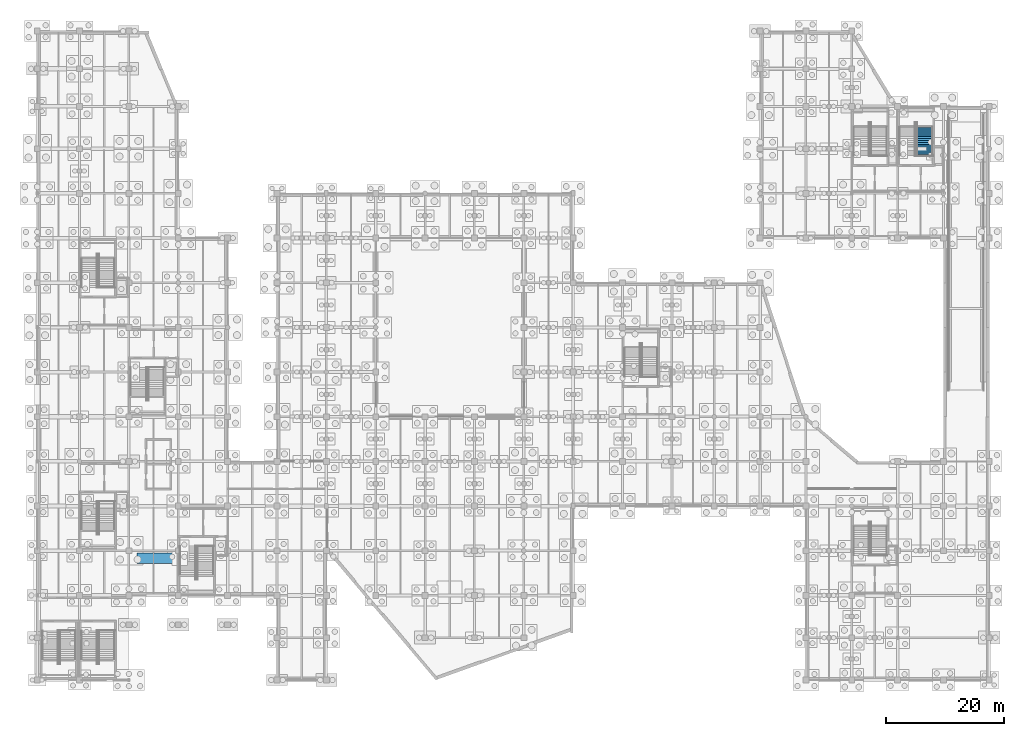
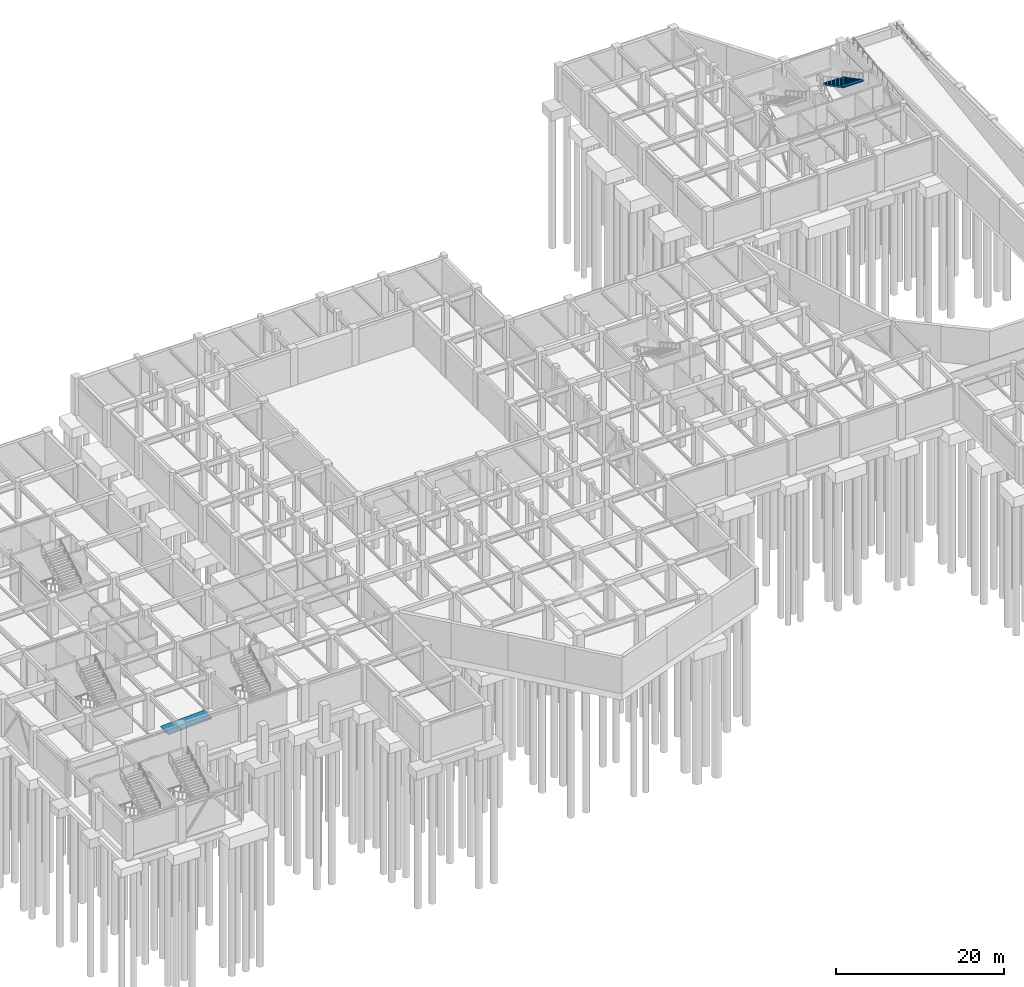
# One storey, part 48 of 52: 1 ramp flight, 1 stair flight, 2 elements without a shape of their own.
"""IFC4 building model written with IfcOpenShell, lengths in metres."""

from ifc_helpers import new_model, si_unit, direction, frame, origin, place, context, subcontext, project, spatial, polyline, outline, extrude, material, type_object, element, aggregate, save


model = new_model("IFC4")

# Units and contexts
model_context = context("Model", 3, precision=1e-05, world=origin(), true_north=direction((0.0, 1.0)))
body_context = subcontext(model_context, "Body", "Model", "MODEL_VIEW")
ifc_project = project(units=[si_unit("LENGTHUNIT", "METRE"), si_unit("AREAUNIT", "SQUARE_METRE"), si_unit("VOLUMEUNIT", "CUBIC_METRE"), si_unit("PLANEANGLEUNIT", "RADIAN"), si_unit("MASSUNIT", "GRAM", prefix="KILO")], contexts=[model_context])

# Site, building, storey
site_placement = place(None, origin())
site = spatial("IfcSite", under=ifc_project, at=site_placement, CompositionType="ELEMENT")
building_placement = place(site_placement, origin())
building = spatial("IfcBuilding", under=site, at=building_placement, Name="Xicomal Pleat Aquarium", CompositionType="ELEMENT")
storey_placement = place(building_placement, frame((0.0, 0.0, -5.39990234375)))
storey = spatial("IfcBuildingStorey", under=building, at=storey_placement, Name="B1", CompositionType="ELEMENT", Elevation=-5.39990234375)

# Stair, stair flight
ifc_material_1 = material(Name="Concrete C35/45", Category="concrete")
stair_type = type_object("IfcStairType", Name="STR-HT-5400-2400", PredefinedType="HALF_TURN_STAIR", material=ifc_material_1)
stair_placement = place(storey_placement, origin())
stair = element("IfcStair", 1, at=stair_placement, inside=storey, type_object=stair_type, Name="ST-06 fire exit stair B1 to L01", PredefinedType="HALF_TURN_STAIR")
ifc_material_2 = material(Name="Concrete C35/45", Category="concrete")
stair_flight_type = type_object("IfcStairFlightType", Name="STF-5400-2400", PredefinedType="STRAIGHT", material=ifc_material_2)
stair_flight_placement = place(storey_placement, frame((154.050048828125, 94.85009765625, 2.699951171875), z_axis=(0.0, 0.0, 1.0), x_axis=(0.0, -1.0, 0.0)))
stair_flight = element("IfcStairFlight", 2, at=stair_flight_placement, type_object=stair_flight_type, Name="ST-06 flight 2", NumberOfRisers=16, NumberOfTreads=15, PredefinedType="STRAIGHT", RiserHeight=0.16875, TreadLength=0.322, context=body_context, shape_type="SweptSolid", body=[
    extrude(outline(polyline([(0.0, 0.0), (0.0, 0.168701171875), (0.322021484375, 0.168701171875), (0.322021484375, 0.33740234375), (0.64404296875, 0.33740234375), (0.64404296875, 0.50634765625), (0.966064453125, 0.50634765625), (0.966064453125, 0.675048828125), (1.2880859375, 0.675048828125), (1.2880859375, 0.84375), (1.610107421875, 0.84375), (1.610107421875, 1.012451171875), (1.931884765625, 1.012451171875), (1.931884765625, 1.18115234375), (2.25390625, 1.18115234375), (2.25390625, 1.35009765625), (2.575927734375, 1.35009765625), (2.575927734375, 1.518798828125), (2.89794921875, 1.518798828125), (2.89794921875, 1.6875), (3.219970703125, 1.6875), (3.219970703125, 1.856201171875), (3.5419921875, 1.856201171875), (3.5419921875, 2.02490234375), (3.864013671875, 2.02490234375), (3.864013671875, 2.19384765625), (4.18603515625, 2.19384765625), (4.18603515625, 2.362548828125), (4.508056640625, 2.362548828125), (4.508056640625, 2.53125), (4.830078125, 2.53125), (4.830078125, 2.699951171875), (4.830078125, 2.350830078125), (0.344482421875, 0.0), (0.0, 0.0)])), frame((0.0, 1.3701171875, 0.0), z_axis=(0.0, -1.0, 0.0), x_axis=(1.0, 0.0, 0.0)), (0.0, 0.0, 1.0), 2.739990234375),
])
aggregate(stair, [stair_flight])

# Ramp, ramp flight
ifc_material_3 = material(Name="Concrete C35/45", Category="concrete")
ramp_type = type_object("IfcRampType", Name="RMP-PED-1800", PredefinedType="STRAIGHT_RUN_RAMP", material=ifc_material_3)
ramp_placement = place(storey_placement, origin())
ramp = element("IfcRamp", 3, at=ramp_placement, inside=storey, type_object=ramp_type, Name="Accessible pedestrian gallery ramp PR-01", PredefinedType="STRAIGHT_RUN_RAMP")
ifc_material_4 = material(Name="Concrete C35/45", Category="concrete")
ramp_flight_type = type_object("IfcRampFlightType", Name="RMPF-PED-200", PredefinedType="STRAIGHT", material=ifc_material_4)
ramp_flight_placement = place(storey_placement, frame((20.0, 21.5, 0.0), z_axis=(0.0, 0.0, 1.0), x_axis=(1.0, 0.0, 0.0)))
ramp_flight = element("IfcRampFlight", 4, at=ramp_flight_placement, type_object=ramp_flight_type, Name="Accessible pedestrian ramp flight PR-01", PredefinedType="STRAIGHT", context=body_context, shape_type="SweptSolid", body=[
    extrude(outline(polyline([(0.0, 0.0), (6.0, 0.25), (6.0, 0.050048828125), (0.0, -0.199951171875), (0.0, 0.0)])), frame((0.0, 0.89990234375, 0.0), z_axis=(0.0, -1.0, 0.0), x_axis=(1.0, 0.0, 0.0)), (0.0, 0.0, 1.0), 1.800048828125),
])
aggregate(ramp, [ramp_flight])

save(model, "model.ifc")
